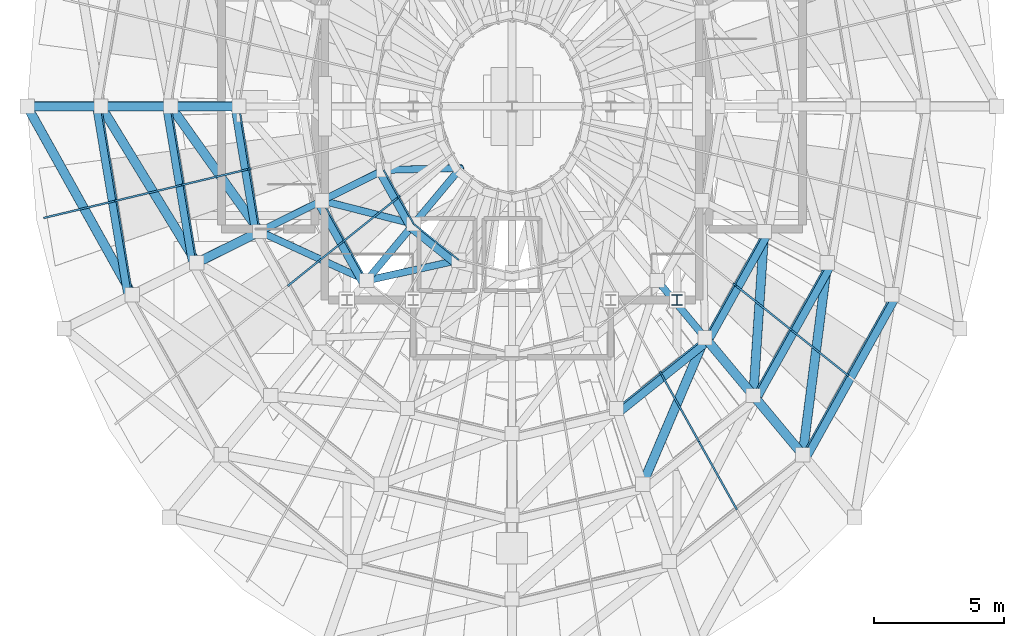
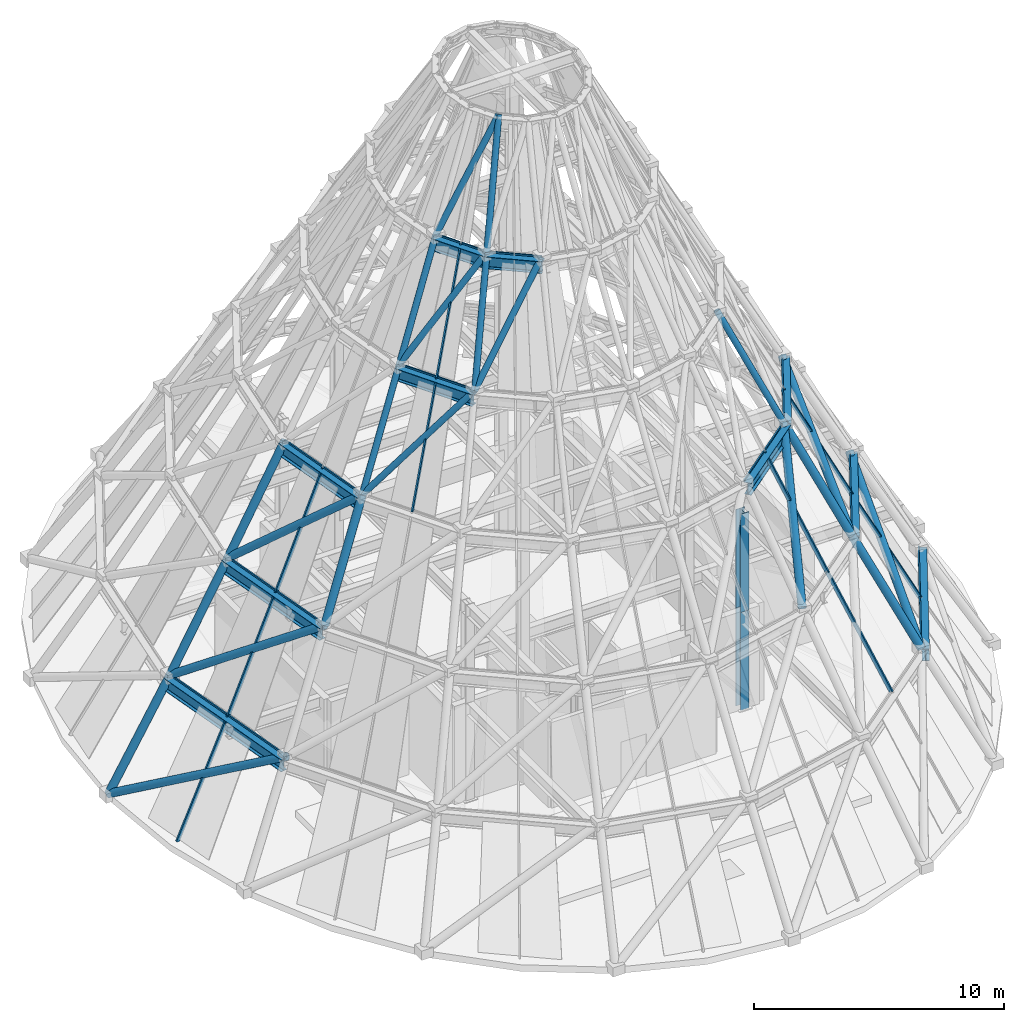
# One storey, part 3 of 16: 42 members, 10 beams, 5 elements without a shape of their own.
"""IFC4 building model written with IfcOpenShell, lengths in metres."""

from ifc_helpers import new_model, si_unit, direction, frame, origin, origin_2d, place, context, subcontext, project, spatial, hollow_rectangle, hollow_circle, i_section, extrude, material, layer, layer_set, material_profile, profile_set, type_object, element, aggregate, save


model = new_model("IFC4")

# Units and contexts
model_context = context("Model", 3, precision=1e-05, world=origin(), true_north=direction((0.0, 1.0)))
body_context = subcontext(model_context, "Body", "Model", "MODEL_VIEW")
ifc_project = project(units=[si_unit("LENGTHUNIT", "METRE"), si_unit("AREAUNIT", "SQUARE_METRE"), si_unit("VOLUMEUNIT", "CUBIC_METRE"), si_unit("PLANEANGLEUNIT", "RADIAN"), si_unit("MASSUNIT", "GRAM", prefix="KILO")], contexts=[model_context])

# Site, building, storey
site_placement = place(None, origin())
site = spatial("IfcSite", under=ifc_project, at=site_placement, CompositionType="ELEMENT")
building_placement = place(site_placement, origin())
building = spatial("IfcBuilding", under=site, at=building_placement, Name="Veldorina Hangang Commons", CompositionType="ELEMENT")
storey_placement = place(building_placement, frame((0.0, 0.0, 308.39990234375)))
storey = spatial("IfcBuildingStorey", under=building, at=storey_placement, Name="Crown", CompositionType="ELEMENT", Elevation=308.39990234375)

# Beams
ifc_material_1 = material(Name="Steel SM460-TMC", Category="steel")
ifc_material_profile_1 = material_profile(ifc_material_1, i_section(OverallWidth=0.300048828125, OverallDepth=0.587890625, WebThickness=0.011962890625, FlangeThickness=0.02001953125, FilletRadius=0.01806640625, at=origin_2d()), Name="H-588x300x12x20")
ifc_profile_set_1 = profile_set([ifc_material_profile_1], Name="Steel SM460-TMC")
beam_type = type_object("IfcBeamType", Name="BM-FG588", PredefinedType="BEAM", material=ifc_profile_set_1)
beam_1_placement = place(storey_placement, frame((16.010986328125, 24.0, 4.5), z_axis=(0.163733169397, -0.986504662553, 0.0), x_axis=(0.986504662553, 0.163733169397, 0.0)))
element("IfcBeam", 1, at=beam_1_placement, inside=storey, type_object=beam_type, Name="Crown tier 1 ring beam 08", PredefinedType="BEAM", context=body_context, shape_type="SweptSolid", body=[
    extrude(i_section(OverallWidth=0.300048828125, OverallDepth=0.587890625, WebThickness=0.011962890625, FlangeThickness=0.02001953125, FilletRadius=0.01806640625, at=origin_2d()), origin(), (0.0, 0.0, 1.0), 7.43310546875),
])
beam_2_placement = place(storey_placement, frame((43.305908203125, 10.451171875, 4.5), z_axis=(0.48700541563, 0.873398949591, 0.0), x_axis=(-0.873398949591, 0.48700541563, 0.0)))
element("IfcBeam", 2, at=beam_2_placement, inside=storey, type_object=beam_type, Name="Crown tier 1 ring beam 14", PredefinedType="BEAM", context=body_context, shape_type="SweptSolid", body=[
    extrude(i_section(OverallWidth=0.300048828125, OverallDepth=0.587890625, WebThickness=0.011962890625, FlangeThickness=0.02001953125, FilletRadius=0.01806640625, at=origin_2d()), origin(), (0.0, 0.0, 1.0), 7.1171875),
])
beam_3_placement = place(storey_placement, frame((18.703857421875, 24.0, 9.300048828125), z_axis=(0.163758445565, -0.986500467058, 0.0), x_axis=(0.986500467058, 0.163758445565, 0.0)))
element("IfcBeam", 3, at=beam_3_placement, inside=storey, type_object=beam_type, Name="Crown tier 2 ring beam 08", PredefinedType="BEAM", context=body_context, shape_type="SweptSolid", body=[
    extrude(i_section(OverallWidth=0.300048828125, OverallDepth=0.587890625, WebThickness=0.011962890625, FlangeThickness=0.02001953125, FilletRadius=0.01806640625, at=origin_2d()), origin(), (0.0, 0.0, 1.0), 6.18115234375),
])
beam_4_placement = place(storey_placement, frame((41.40185546875, 12.73291015625, 9.300048828125), z_axis=(0.486955766168, 0.873426632177, 0.0), x_axis=(-0.873426632177, 0.486955766168, 0.0)))
element("IfcBeam", 4, at=beam_4_placement, inside=storey, type_object=beam_type, Name="Crown tier 2 ring beam 14", PredefinedType="BEAM", context=body_context, shape_type="SweptSolid", body=[
    extrude(i_section(OverallWidth=0.300048828125, OverallDepth=0.587890625, WebThickness=0.011962890625, FlangeThickness=0.02001953125, FilletRadius=0.01806640625, at=origin_2d()), origin(), (0.0, 0.0, 1.0), 5.91845703125),
])
beam_5_placement = place(storey_placement, frame((21.3349609375, 24.0, 14.10009765625), z_axis=(0.163728199347, -0.986505487435, 0.0), x_axis=(0.986505487435, 0.163728199347, 0.0)))
element("IfcBeam", 5, at=beam_5_placement, inside=storey, type_object=beam_type, Name="Crown tier 3 ring beam 08", PredefinedType="BEAM", context=body_context, shape_type="SweptSolid", body=[
    extrude(i_section(OverallWidth=0.300048828125, OverallDepth=0.587890625, WebThickness=0.011962890625, FlangeThickness=0.02001953125, FilletRadius=0.01806640625, at=origin_2d()), origin(), (0.0, 0.0, 1.0), 4.9580078125),
])
beam_6_placement = place(storey_placement, frame((36.081298828125, 12.19189453125, 14.10009765625), z_axis=(0.780610819839, 0.625017398118, 0.0), x_axis=(-0.625017398118, 0.780610819839, 0.0)))
element("IfcBeam", 6, at=beam_6_placement, inside=storey, type_object=beam_type, Name="Crown tier 3 ring beam 13", PredefinedType="BEAM", context=body_context, shape_type="SweptSolid", body=[
    extrude(i_section(OverallWidth=0.300048828125, OverallDepth=0.587890625, WebThickness=0.011962890625, FlangeThickness=0.02001953125, FilletRadius=0.01806640625, at=origin_2d()), origin(), (0.0, 0.0, 1.0), 4.4326171875),
])
beam_7_placement = place(storey_placement, frame((39.54150390625, 14.96240234375, 14.10009765625), z_axis=(0.486956666645, 0.873426130139, 0.0), x_axis=(-0.873426130139, 0.486956666645, 0.0)))
element("IfcBeam", 7, at=beam_7_placement, inside=storey, type_object=beam_type, Name="Crown tier 3 ring beam 14", PredefinedType="BEAM", context=body_context, shape_type="SweptSolid", body=[
    extrude(i_section(OverallWidth=0.300048828125, OverallDepth=0.587890625, WebThickness=0.011962890625, FlangeThickness=0.02001953125, FilletRadius=0.01806640625, at=origin_2d()), origin(), (0.0, 0.0, 1.0), 4.747314453125),
])
beam_8_placement = place(storey_placement, frame((24.54345703125, 20.298583984375, 18.900146484375), z_axis=(0.486992551607, -0.873406122419, 0.0), x_axis=(0.873406122419, 0.486992551607, 0.0)))
element("IfcBeam", 8, at=beam_8_placement, inside=storey, type_object=beam_type, Name="Crown tier 4 ring beam 09", PredefinedType="BEAM", context=body_context, shape_type="SweptSolid", body=[
    extrude(i_section(OverallWidth=0.300048828125, OverallDepth=0.587890625, WebThickness=0.011962890625, FlangeThickness=0.02001953125, FilletRadius=0.01806640625, at=origin_2d()), origin(), (0.0, 0.0, 1.0), 3.592529296875),
])
beam_9_placement = place(storey_placement, frame((26.91552734375, 21.476318359375, 23.7001953125), z_axis=(0.487021535695, -0.873389960882, 0.0), x_axis=(0.873389960882, 0.487021535695, 0.0)))
element("IfcBeam", 9, at=beam_9_placement, inside=storey, type_object=beam_type, Name="Crown tier 5 ring beam 09", PredefinedType="BEAM", context=body_context, shape_type="SweptSolid", body=[
    extrude(i_section(OverallWidth=0.300048828125, OverallDepth=0.587890625, WebThickness=0.011962890625, FlangeThickness=0.02001953125, FilletRadius=0.01806640625, at=origin_2d()), origin(), (0.0, 0.0, 1.0), 2.44970703125),
])
beam_10_placement = place(storey_placement, frame((28.108642578125, 19.336669921875, 23.7001953125), z_axis=(0.780577146604, -0.625059451732, 0.0), x_axis=(0.625059451732, 0.780577146604, 0.0)))
element("IfcBeam", 10, at=beam_10_placement, inside=storey, type_object=beam_type, Name="Crown tier 5 ring beam 10", PredefinedType="BEAM", context=body_context, shape_type="SweptSolid", body=[
    extrude(i_section(OverallWidth=0.300048828125, OverallDepth=0.587890625, WebThickness=0.011962890625, FlangeThickness=0.02001953125, FilletRadius=0.01806640625, at=origin_2d()), origin(), (0.0, 0.0, 1.0), 2.287353515625),
])

# Members
ifc_material_profile_2 = material_profile(ifc_material_1, i_section(OverallWidth=0.39990234375, OverallDepth=0.39990234375, WebThickness=0.012939453125, FlangeThickness=0.02099609375, FilletRadius=0.01806640625, at=origin_2d()), Name="H-400x400x13x21")
ifc_profile_set_2 = profile_set([ifc_material_profile_2], Name="Steel SM460-TMC")
member_type_1 = type_object("IfcMemberType", Name="CRN-POST-H400", PredefinedType="BRACE", material=ifc_profile_set_2)
for number, where, z_axis, x_axis, name in (
    (11, (38.35009765625, 16.550048828125, 0.0), (0.0, 0.0, 1.0), (1.0, 0.0, 0.0), "Crown tier 1 outer core post SE"),
    (12, (38.35009765625, 16.550048828125, 4.800048828125), (0.0, 0.0, 1.0), (1.0, 0.0, 0.0), "Crown tier 2 outer core post SE"),
):
    element("IfcMember", number, at=place(storey_placement, frame(where, z_axis=z_axis, x_axis=x_axis)), inside=storey, type_object=member_type_1, Name=name, PredefinedType="BRACE", context=body_context, shape_type="SweptSolid", body=[
        extrude(i_section(OverallWidth=0.39990234375, OverallDepth=0.39990234375, WebThickness=0.012939453125, FlangeThickness=0.02099609375, FilletRadius=0.01806640625, at=origin_2d()), origin(), (0.0, 0.0, 1.0), 4.800048828125),
    ])
ifc_material_2 = material(Name="Steel SM355-TMC", Category="steel")
ifc_material_profile_3 = material_profile(ifc_material_2, hollow_circle(Radius=0.136474609375, WallThickness=0.011962890625, at=origin_2d()), Name="CHS-273.0x12")
ifc_profile_set_3 = profile_set([ifc_material_profile_3], Name="Steel SM355-TMC")
member_type_2 = type_object("IfcMemberType", Name="CRN-RIB273", PredefinedType="BRACE", material=ifc_profile_set_3)
member_1_placement = place(storey_placement, frame((22.29833984375, 19.18408203125, 14.400146484375), z_axis=(0.435852985266, 0.216393520058, 0.873616632003), x_axis=(-0.444691596768, 0.895683752093, 0.0)))
element("IfcMember", 13, at=member_1_placement, inside=storey, type_object=member_type_2, Name="Crown tier 4 CROWN FRAME meridian rib 09", PredefinedType="BRACE", context=body_context, shape_type="SweptSolid", body=[
    extrude(hollow_circle(Radius=0.136474609375, WallThickness=0.011962890625, at=origin_2d()), origin(), (0.0, 0.0, 1.0), 5.494384765625),
])
member_2_placement = place(storey_placement, frame((22.29833984375, 19.18408203125, 14.400146484375), z_axis=(0.623173752506, -0.286003875838, 0.727912259269), x_axis=(0.417115749595, 0.908853371804, 0.0)))
element("IfcMember", 14, at=member_2_placement, inside=storey, type_object=member_type_2, Name="Crown tier 4 CROWN FRAME diagrid brace 09", PredefinedType="BRACE", context=body_context, shape_type="SweptSolid", body=[
    extrude(hollow_circle(Radius=0.136474609375, WallThickness=0.011962890625, at=origin_2d()), origin(), (0.0, 0.0, 1.0), 6.59423828125),
])
member_3_placement = place(storey_placement, frame((39.42529296875, 15.1015625, 14.400146484375), z_axis=(-0.328028884835, 0.393084160477, 0.859000520079), x_axis=(-0.767780420949, -0.640713059963, 0.0)))
element("IfcMember", 15, at=member_3_placement, inside=storey, type_object=member_type_2, Name="Crown tier 4 CROWN FRAME meridian rib 14", PredefinedType="BRACE", context=body_context, shape_type="SweptSolid", body=[
    extrude(hollow_circle(Radius=0.136474609375, WallThickness=0.011962890625, at=origin_2d()), origin(), (0.0, 0.0, 1.0), 5.587890625),
])
member_4_placement = place(storey_placement, frame((24.693115234375, 20.373046875, 19.2001953125), z_axis=(0.432504003521, 0.214693027495, 0.875698116295), x_axis=(-0.444628824746, 0.895714914582, 0.0)))
element("IfcMember", 16, at=member_4_placement, inside=storey, type_object=member_type_2, Name="Crown tier 5 CROWN FRAME meridian rib 09", PredefinedType="BRACE", context=body_context, shape_type="SweptSolid", body=[
    extrude(hollow_circle(Radius=0.136474609375, WallThickness=0.011962890625, at=origin_2d()), origin(), (0.0, 0.0, 1.0), 5.481201171875),
])
member_5_placement = place(storey_placement, frame((24.693115234375, 20.373046875, 19.2001953125), z_axis=(0.585685231505, -0.149480615679, 0.796635647667), x_axis=(0.247296208435, 0.96893992863, 0.0)))
element("IfcMember", 17, at=member_5_placement, inside=storey, type_object=member_type_2, Name="Crown tier 5 CROWN FRAME diagrid brace 09", PredefinedType="BRACE", context=body_context, shape_type="SweptSolid", body=[
    extrude(hollow_circle(Radius=0.136474609375, WallThickness=0.011962890625, at=origin_2d()), origin(), (0.0, 0.0, 1.0), 6.025146484375),
])
member_6_placement = place(storey_placement, frame((26.40771484375, 17.298095703125, 19.2001953125), z_axis=(0.325541713887, 0.390159400333, 0.861277095278), x_axis=(-0.767825394616, 0.640659163193, 0.0)))
element("IfcMember", 18, at=member_6_placement, inside=storey, type_object=member_type_2, Name="Crown tier 5 CROWN FRAME meridian rib 10", PredefinedType="BRACE", context=body_context, shape_type="SweptSolid", body=[
    extrude(hollow_circle(Radius=0.136474609375, WallThickness=0.011962890625, at=origin_2d()), origin(), (0.0, 0.0, 1.0), 5.572998046875),
])
member_7_placement = place(storey_placement, frame((26.40771484375, 17.298095703125, 19.2001953125), z_axis=(0.589290288574, 0.130624459397, 0.797291795016), x_axis=(-0.216411106862, 0.97630232655, 0.0)))
element("IfcMember", 19, at=member_7_placement, inside=storey, type_object=member_type_2, Name="Crown tier 5 CROWN FRAME diagrid brace 10", PredefinedType="BRACE", context=body_context, shape_type="SweptSolid", body=[
    extrude(hollow_circle(Radius=0.136474609375, WallThickness=0.011962890625, at=origin_2d()), origin(), (0.0, 0.0, 1.0), 6.02001953125),
])
member_8_placement = place(storey_placement, frame((27.063720703125, 21.5498046875, 24.0), z_axis=(0.524607943054, 0.014114235325, 0.851226934751), x_axis=(-0.026894617268, 0.999638274358, 0.0)))
element("IfcMember", 20, at=member_8_placement, inside=storey, type_object=member_type_2, Name="Crown tier 6 CROWN FRAME diagrid brace 09", PredefinedType="BRACE", context=body_context, shape_type="SweptSolid", body=[
    extrude(hollow_circle(Radius=0.136474609375, WallThickness=0.011962890625, at=origin_2d()), origin(), (0.0, 0.0, 1.0), 5.638916015625),
])
member_9_placement = place(storey_placement, frame((28.221923828125, 19.472412109375, 24.0), z_axis=(0.323647112636, 0.387823442308, 0.863044334944), x_axis=(-0.767772338623, 0.640722745067, 0.0)))
element("IfcMember", 21, at=member_9_placement, inside=storey, type_object=member_type_2, Name="Crown tier 6 CROWN FRAME meridian rib 10", PredefinedType="BRACE", context=body_context, shape_type="SweptSolid", body=[
    extrude(hollow_circle(Radius=0.136474609375, WallThickness=0.011962890625, at=origin_2d()), origin(), (0.0, 0.0, 1.0), 5.561767578125),
])
ifc_material_profile_4 = material_profile(ifc_material_2, hollow_circle(Radius=0.177734375, WallThickness=0.01611328125, at=origin_2d()), Name="CHS-355.6x16")
ifc_profile_set_4 = profile_set([ifc_material_profile_4], Name="Steel SM355-TMC")
member_type_3 = type_object("IfcMemberType", Name="CRN-RIB355", PredefinedType="BRACE", material=ifc_profile_set_4)
member_10_placement = place(storey_placement, frame((13.35009765625, 24.0, 0.0), z_axis=(0.50899331274, 0.0, 0.860770473231), x_axis=(0.0, 1.0, 0.0)))
element("IfcMember", 22, at=member_10_placement, inside=storey, type_object=member_type_3, Name="Crown tier 1 CROWN FRAME meridian rib 08", PredefinedType="BRACE", context=body_context, shape_type="SweptSolid", body=[
    extrude(hollow_circle(Radius=0.177734375, WallThickness=0.01611328125, at=origin_2d()), origin(), (0.0, 0.0, 1.0), 5.576416015625),
])
member_11_placement = place(storey_placement, frame((13.35009765625, 24.0, 0.0), z_axis=(0.421502189024, -0.75616311405, 0.500552943851), x_axis=(0.8734641768, 0.486888418272, 0.0)))
element("IfcMember", 23, at=member_11_placement, inside=storey, type_object=member_type_3, Name="Crown tier 1 CROWN FRAME diagrid brace 08", PredefinedType="BRACE", context=body_context, shape_type="SweptSolid", body=[
    extrude(hollow_circle(Radius=0.177734375, WallThickness=0.01611328125, at=origin_2d()), origin(), (0.0, 0.0, 1.0), 9.589599609375),
])
member_12_placement = place(storey_placement, frame((16.1884765625, 24.0, 4.800048828125), z_axis=(0.487921854716, 0.0, 0.872887314429), x_axis=(0.0, 1.0, 0.0)))
element("IfcMember", 24, at=member_12_placement, inside=storey, type_object=member_type_3, Name="Crown tier 2 CROWN FRAME meridian rib 08", PredefinedType="BRACE", context=body_context, shape_type="SweptSolid", body=[
    extrude(hollow_circle(Radius=0.177734375, WallThickness=0.01611328125, at=origin_2d()), origin(), (0.0, 0.0, 1.0), 5.4990234375),
])
member_13_placement = place(storey_placement, frame((16.1884765625, 24.0, 4.800048828125), z_axis=(0.431433256184, -0.705401812024, 0.562382102356), x_axis=(0.853091089083, 0.521762008704, 0.0)))
element("IfcMember", 25, at=member_13_placement, inside=storey, type_object=member_type_3, Name="Crown tier 2 CROWN FRAME diagrid brace 08", PredefinedType="BRACE", context=body_context, shape_type="SweptSolid", body=[
    extrude(hollow_circle(Radius=0.177734375, WallThickness=0.01611328125, at=origin_2d()), origin(), (0.0, 0.0, 1.0), 8.53515625),
])
member_14_placement = place(storey_placement, frame((43.180419921875, 10.601318359375, 4.800048828125), z_axis=(-0.336386334792, 0.40313549555, 0.85107344336), x_axis=(-0.767808896081, -0.640678936051, 0.0)))
element("IfcMember", 26, at=member_14_placement, inside=storey, type_object=member_type_3, Name="Crown tier 2 CROWN FRAME meridian rib 14", PredefinedType="BRACE", context=body_context, shape_type="SweptSolid", body=[
    extrude(hollow_circle(Radius=0.177734375, WallThickness=0.01611328125, at=origin_2d()), origin(), (0.0, 0.0, 1.0), 5.639892578125),
])
member_15_placement = place(storey_placement, frame((43.180419921875, 10.601318359375, 4.800048828125), z_axis=(0.107165679164, 0.833388271832, 0.54219876944), x_axis=(-0.991833403051, 0.127540192067, 0.0)))
element("IfcMember", 27, at=member_15_placement, inside=storey, type_object=member_type_3, Name="Crown tier 2 CROWN FRAME diagrid brace 14", PredefinedType="BRACE", context=body_context, shape_type="SweptSolid", body=[
    extrude(hollow_circle(Radius=0.177734375, WallThickness=0.01611328125, at=origin_2d()), origin(), (0.0, 0.0, 1.0), 8.85302734375),
])
member_16_placement = place(storey_placement, frame((18.87158203125, 24.0, 9.60009765625), z_axis=(0.480151990827, 0.0, 0.877185308646), x_axis=(0.0, 1.0, 0.0)))
element("IfcMember", 28, at=member_16_placement, inside=storey, type_object=member_type_3, Name="Crown tier 3 CROWN FRAME meridian rib 08", PredefinedType="BRACE", context=body_context, shape_type="SweptSolid", body=[
    extrude(hollow_circle(Radius=0.177734375, WallThickness=0.01611328125, at=origin_2d()), origin(), (0.0, 0.0, 1.0), 5.47216796875),
])
member_17_placement = place(storey_placement, frame((18.87158203125, 24.0, 9.60009765625), z_axis=(0.450047676964, -0.632490772001, 0.630406624166), x_axis=(0.814787088927, 0.579760295051, 0.0)))
element("IfcMember", 29, at=member_17_placement, inside=storey, type_object=member_type_3, Name="Crown tier 3 CROWN FRAME diagrid brace 08", PredefinedType="BRACE", context=body_context, shape_type="SweptSolid", body=[
    extrude(hollow_circle(Radius=0.177734375, WallThickness=0.01611328125, at=origin_2d()), origin(), (0.0, 0.0, 1.0), 7.6142578125),
])
member_18_placement = place(storey_placement, frame((19.870849609375, 17.979248046875, 9.60009765625), z_axis=(0.440381719039, 0.21857425158, 0.870798046669), x_axis=(-0.444581110507, 0.89573859813, 0.0)))
element("IfcMember", 30, at=member_18_placement, inside=storey, type_object=member_type_3, Name="Crown tier 3 CROWN FRAME meridian rib 09", PredefinedType="BRACE", context=body_context, shape_type="SweptSolid", body=[
    extrude(hollow_circle(Radius=0.177734375, WallThickness=0.01611328125, at=origin_2d()), origin(), (0.0, 0.0, 1.0), 5.51220703125),
])
member_19_placement = place(storey_placement, frame((37.02392578125, 9.464599609375, 9.60009765625), z_axis=(0.308521470937, 0.7242224728, 0.616697909728), x_axis=(-0.919998172689, 0.391922648299, 0.0)))
element("IfcMember", 31, at=member_19_placement, inside=storey, type_object=member_type_3, Name="Crown tier 3 CROWN FRAME diagrid brace 13", PredefinedType="BRACE", context=body_context, shape_type="SweptSolid", body=[
    extrude(hollow_circle(Radius=0.177734375, WallThickness=0.01611328125, at=origin_2d()), origin(), (0.0, 0.0, 1.0), 7.783447265625),
])
member_20_placement = place(storey_placement, frame((41.283203125, 12.875, 9.60009765625), z_axis=(-0.331295255321, 0.397031895995, 0.855925888944), x_axis=(-0.767807072832, -0.64068112108, 0.0)))
element("IfcMember", 32, at=member_20_placement, inside=storey, type_object=member_type_3, Name="Crown tier 3 CROWN FRAME meridian rib 14", PredefinedType="BRACE", context=body_context, shape_type="SweptSolid", body=[
    extrude(hollow_circle(Radius=0.177734375, WallThickness=0.01611328125, at=origin_2d()), origin(), (0.0, 0.0, 1.0), 5.60791015625),
])
member_21_placement = place(storey_placement, frame((41.283203125, 12.875, 9.60009765625), z_axis=(0.052712225963, 0.794742907423, 0.604652902362), x_axis=(-0.997807652572, 0.066180725815, 0.0)))
element("IfcMember", 33, at=member_21_placement, inside=storey, type_object=member_type_3, Name="Crown tier 3 CROWN FRAME diagrid brace 14", PredefinedType="BRACE", context=body_context, shape_type="SweptSolid", body=[
    extrude(hollow_circle(Radius=0.177734375, WallThickness=0.01611328125, at=origin_2d()), origin(), (0.0, 0.0, 1.0), 7.9384765625),
])

# Curtain wall, member
ifc_material_3 = material(Name="Glass Low-Iron Laminated", Category="glass")
ifc_layer = layer(ifc_material_3, 0.179931640625)
ifc_layer_set = layer_set([ifc_layer], Name="Glass Low-Iron Laminated")
curtain_wall_type = type_object("IfcCurtainWallType", Name="CW-SYS-CRN", PredefinedType="NOTDEFINED", material=ifc_layer_set)
curtain_wall_1_placement = place(storey_placement, origin())
curtain_wall_1 = element("IfcCurtainWall", 34, at=curtain_wall_1_placement, inside=storey, type_object=curtain_wall_type, Name="Crown glass-point sloped pyramidal curtain wall tier 1", PredefinedType="NOTDEFINED")
ifc_material_4 = material(Name="Aluminium Anodized AA6063-T6", Category="aluminium")
ifc_material_profile_5 = material_profile(ifc_material_4, hollow_rectangle(XDim=0.070068359375, YDim=0.179931640625, WallThickness=0.00390625, at=origin_2d()), Name="ALU-RHS-180x70x4")
ifc_profile_set_5 = profile_set([ifc_material_profile_5], Name="Aluminium Anodized AA6063-T6")
member_type_4 = type_object("IfcMemberType", Name="CW-MUL-180", PredefinedType="MULLION", material=ifc_profile_set_5)
member_22_placement = place(storey_placement, frame((14.059814453125, 19.723388671875, 0.0), z_axis=(0.491044075663, 0.117053246219, 0.86323476141), x_axis=(-0.231879208722, 0.972744587527, 0.0)))
member_22 = element("IfcMember", 35, at=member_22_placement, type_object=member_type_4, Name="CW-CRN-T1 sloped mid-facet mullion 9", PredefinedType="MULLION", context=body_context, shape_type="SweptSolid", body=[
    extrude(hollow_rectangle(XDim=0.070068359375, YDim=0.179931640625, WallThickness=0.00390625, at=origin_2d()), origin(), (0.0, 0.0, 1.0), 5.560546875),
])

# Curtain wall, members
curtain_wall_2_placement = place(storey_placement, origin())
curtain_wall_2 = element("IfcCurtainWall", 36, at=curtain_wall_2_placement, inside=storey, type_object=curtain_wall_type, Name="Crown glass-point sloped pyramidal curtain wall tier 2", PredefinedType="NOTDEFINED")
member_23_placement = place(storey_placement, frame((16.790283203125, 20.374267578125, 4.800048828125), z_axis=(0.470565786828, 0.112177256911, 0.875205177829), x_axis=(-0.231890061584, 0.972742000398, 0.0)))
member_23 = element("IfcMember", 37, at=member_23_placement, type_object=member_type_4, Name="CW-CRN-T2 sloped mid-facet mullion 9", PredefinedType="MULLION", context=body_context, shape_type="SweptSolid", body=[
    extrude(hollow_rectangle(XDim=0.070068359375, YDim=0.179931640625, WallThickness=0.00390625, at=origin_2d()), origin(), (0.0, 0.0, 1.0), 5.484375),
])
member_24_placement = place(storey_placement, frame((40.61572265625, 8.547607421875, 4.800048828125), z_axis=(-0.25825402247, 0.463166881842, 0.847809707094), x_axis=(-0.873404448516, -0.486995553688, 0.0)))
member_24 = element("IfcMember", 38, at=member_24_placement, type_object=member_type_4, Name="CW-CRN-T2 sloped mid-facet mullion 14", PredefinedType="MULLION", context=body_context, shape_type="SweptSolid", body=[
    extrude(hollow_rectangle(XDim=0.070068359375, YDim=0.179931640625, WallThickness=0.00390625, at=origin_2d()), origin(), (0.0, 0.0, 1.0), 5.66162109375),
])
member_25_placement = place(storey_placement, frame((44.894287109375, 13.675048828125, 4.800048828125), z_axis=(-0.39362812705, 0.315183601842, 0.863548605884), x_axis=(-0.625034893689, -0.78059681121, 0.0)))
member_25 = element("IfcMember", 39, at=member_25_placement, type_object=member_type_4, Name="CW-CRN-T2 sloped mid-facet mullion 15", PredefinedType="MULLION", context=body_context, shape_type="SweptSolid", body=[
    extrude(hollow_rectangle(XDim=0.070068359375, YDim=0.179931640625, WallThickness=0.00390625, at=origin_2d()), origin(), (0.0, 0.0, 1.0), 5.55859375),
])

curtain_wall_3_placement = place(storey_placement, origin())
curtain_wall_3 = element("IfcCurtainWall", 40, at=curtain_wall_3_placement, inside=storey, type_object=curtain_wall_type, Name="Crown glass-point sloped pyramidal curtain wall tier 3", PredefinedType="NOTDEFINED")
member_26_placement = place(storey_placement, frame((19.37109375, 20.989501953125, 9.60009765625), z_axis=(0.463078708905, 0.110391022272, 0.879415676208), x_axis=(-0.231887269366, 0.972742666025, 0.0)))
member_26 = element("IfcMember", 41, at=member_26_placement, type_object=member_type_4, Name="CW-CRN-T3 sloped mid-facet mullion 9", PredefinedType="MULLION", context=body_context, shape_type="SweptSolid", body=[
    extrude(hollow_rectangle(XDim=0.070068359375, YDim=0.179931640625, WallThickness=0.00390625, at=origin_2d()), origin(), (0.0, 0.0, 1.0), 5.458251953125),
])
member_27_placement = place(storey_placement, frame((39.153564453125, 11.169921875, 9.60009765625), z_axis=(-0.254344545809, 0.456163299502, 0.852774235191), x_axis=(-0.87340802986, -0.486989130655, 0.0)))
member_27 = element("IfcMember", 42, at=member_27_placement, type_object=member_type_4, Name="CW-CRN-T3 sloped mid-facet mullion 14", PredefinedType="MULLION", context=body_context, shape_type="SweptSolid", body=[
    extrude(hollow_rectangle(XDim=0.070068359375, YDim=0.179931640625, WallThickness=0.00390625, at=origin_2d()), origin(), (0.0, 0.0, 1.0), 5.628662109375),
])
member_28_placement = place(storey_placement, frame((42.706298828125, 15.427001953125, 9.60009765625), z_axis=(-0.387520273629, 0.310298790368, 0.86806837186), x_axis=(-0.625042053082, -0.780591078529, 0.0)))
member_28 = element("IfcMember", 43, at=member_28_placement, type_object=member_type_4, Name="CW-CRN-T3 sloped mid-facet mullion 15", PredefinedType="MULLION", context=body_context, shape_type="SweptSolid", body=[
    extrude(hollow_rectangle(XDim=0.070068359375, YDim=0.179931640625, WallThickness=0.00390625, at=origin_2d()), origin(), (0.0, 0.0, 1.0), 5.529541015625),
])

# Curtain wall, member
curtain_wall_4_placement = place(storey_placement, origin())
curtain_wall_4 = element("IfcCurtainWall", 44, at=curtain_wall_4_placement, inside=storey, type_object=curtain_wall_type, Name="Crown glass-point sloped pyramidal curtain wall tier 4", PredefinedType="NOTDEFINED")
member_29_placement = place(storey_placement, frame((23.4365234375, 17.142822265625, 14.400146484375), z_axis=(0.383534533147, 0.307164293468, 0.870948539641), x_axis=(-0.625112734885, 0.780534476295, 0.0)))
member_29 = element("IfcMember", 45, at=member_29_placement, type_object=member_type_4, Name="CW-CRN-T4 sloped mid-facet mullion 10", PredefinedType="MULLION", context=body_context, shape_type="SweptSolid", body=[
    extrude(hollow_rectangle(XDim=0.070068359375, YDim=0.179931640625, WallThickness=0.00390625, at=origin_2d()), origin(), (0.0, 0.0, 1.0), 5.51123046875),
])

curtain_wall_5_placement = place(storey_placement, origin())
curtain_wall_5 = element("IfcCurtainWall", 46, at=curtain_wall_5_placement, inside=storey, type_object=curtain_wall_type, Name="Crown glass-point sloped pyramidal curtain wall tier 5", PredefinedType="NOTDEFINED")
member_30_placement = place(storey_placement, frame((25.55029296875, 18.835693359375, 19.2001953125), z_axis=(0.38062719347, 0.304732680153, 0.873075559867), x_axis=(-0.624983791766, 0.780637726497, 0.0)))
member_30 = element("IfcMember", 47, at=member_30_placement, type_object=member_type_4, Name="CW-CRN-T5 sloped mid-facet mullion 10", PredefinedType="MULLION", context=body_context, shape_type="SweptSolid", body=[
    extrude(hollow_rectangle(XDim=0.070068359375, YDim=0.179931640625, WallThickness=0.00390625, at=origin_2d()), origin(), (0.0, 0.0, 1.0), 5.49755859375),
])

# Member
ifc_material_profile_6 = material_profile(ifc_material_4, hollow_rectangle(XDim=0.06005859375, YDim=0.139892578125, WallThickness=0.00341796875, at=origin_2d()), Name="ALU-RHS-140x60x3.5")
ifc_profile_set_6 = profile_set([ifc_material_profile_6], Name="Aluminium Anodized AA6063-T6")
member_type_5 = type_object("IfcMemberType", Name="CW-TRN-140", PredefinedType="USERDEFINED", material=ifc_profile_set_6)
member_31_placement = place(storey_placement, frame((16.1884765625, 24.0, 4.800048828125), z_axis=(0.163747230085, -0.986502328755, 0.0), x_axis=(0.986502328755, 0.163747230085, 0.0)))
member_31 = element("IfcMember", 48, at=member_31_placement, type_object=member_type_5, Name="CW-CRN-T1 horizontal ring transom 9", ObjectType="TRANSOM", PredefinedType="USERDEFINED", context=body_context, shape_type="SweptSolid", body=[
    extrude(hollow_rectangle(XDim=0.06005859375, YDim=0.139892578125, WallThickness=0.00341796875, at=origin_2d()), origin(), (0.0, 0.0, 1.0), 7.350341796875),
])

member_32_placement = place(storey_placement, frame((43.180419921875, 10.601318359375, 4.800048828125), z_axis=(0.4869706204, 0.873418350429, 0.0), x_axis=(-0.873418350429, 0.4869706204, 0.0)))
member_32 = element("IfcMember", 49, at=member_32_placement, type_object=member_type_5, Name="CW-CRN-T1 horizontal ring transom 15", ObjectType="TRANSOM", PredefinedType="USERDEFINED", context=body_context, shape_type="SweptSolid", body=[
    extrude(hollow_rectangle(XDim=0.06005859375, YDim=0.139892578125, WallThickness=0.00341796875, at=origin_2d()), origin(), (0.0, 0.0, 1.0), 7.038330078125),
])

aggregate(curtain_wall_1, [member_22, member_31, member_32])

member_33_placement = place(storey_placement, frame((18.87158203125, 24.0, 9.60009765625), z_axis=(0.16373079742, -0.986505056235, 0.0), x_axis=(0.986505056235, 0.16373079742, 0.0)))
member_33 = element("IfcMember", 50, at=member_33_placement, type_object=member_type_5, Name="CW-CRN-T2 horizontal ring transom 9", ObjectType="TRANSOM", PredefinedType="USERDEFINED", context=body_context, shape_type="SweptSolid", body=[
    extrude(hollow_rectangle(XDim=0.06005859375, YDim=0.139892578125, WallThickness=0.00341796875, at=origin_2d()), origin(), (0.0, 0.0, 1.0), 6.10302734375),
])

member_34_placement = place(storey_placement, frame((41.283203125, 12.875, 9.60009765625), z_axis=(0.486983133901, 0.873411373464, 0.0), x_axis=(-0.873411373464, 0.486983133901, 0.0)))
member_34 = element("IfcMember", 51, at=member_34_placement, type_object=member_type_5, Name="CW-CRN-T2 horizontal ring transom 15", ObjectType="TRANSOM", PredefinedType="USERDEFINED", context=body_context, shape_type="SweptSolid", body=[
    extrude(hollow_rectangle(XDim=0.06005859375, YDim=0.139892578125, WallThickness=0.00341796875, at=origin_2d()), origin(), (0.0, 0.0, 1.0), 5.843994140625),
])

aggregate(curtain_wall_2, [member_23, member_33, member_24, member_25, member_34])

member_35_placement = place(storey_placement, frame((21.4990234375, 24.0, 14.400146484375), z_axis=(0.163733947204, -0.986504533458, 0.0), x_axis=(0.986504533458, 0.163733947204, 0.0)))
member_35 = element("IfcMember", 52, at=member_35_placement, type_object=member_type_5, Name="CW-CRN-T3 horizontal ring transom 9", ObjectType="TRANSOM", PredefinedType="USERDEFINED", context=body_context, shape_type="SweptSolid", body=[
    extrude(hollow_rectangle(XDim=0.06005859375, YDim=0.139892578125, WallThickness=0.00341796875, at=origin_2d()), origin(), (0.0, 0.0, 1.0), 4.8818359375),
])

member_36_placement = place(storey_placement, frame((36.0185546875, 12.373779296875, 14.400146484375), z_axis=(0.780601312418, 0.625029272155, 0.0), x_axis=(-0.625029272155, 0.780601312418, 0.0)))
member_36 = element("IfcMember", 53, at=member_36_placement, type_object=member_type_5, Name="CW-CRN-T3 horizontal ring transom 14", ObjectType="TRANSOM", PredefinedType="USERDEFINED", context=body_context, shape_type="SweptSolid", body=[
    extrude(hollow_rectangle(XDim=0.06005859375, YDim=0.139892578125, WallThickness=0.00341796875, at=origin_2d()), origin(), (0.0, 0.0, 1.0), 4.3642578125),
])

member_37_placement = place(storey_placement, frame((39.42529296875, 15.1015625, 14.400146484375), z_axis=(0.486999359603, 0.873402326392, 0.0), x_axis=(-0.873402326392, 0.486999359603, 0.0)))
member_37 = element("IfcMember", 54, at=member_37_placement, type_object=member_type_5, Name="CW-CRN-T3 horizontal ring transom 15", ObjectType="TRANSOM", PredefinedType="USERDEFINED", context=body_context, shape_type="SweptSolid", body=[
    extrude(hollow_rectangle(XDim=0.06005859375, YDim=0.139892578125, WallThickness=0.00341796875, at=origin_2d()), origin(), (0.0, 0.0, 1.0), 4.67431640625),
])

aggregate(curtain_wall_3, [member_26, member_35, member_27, member_36, member_28, member_37])

member_38_placement = place(storey_placement, frame((24.693115234375, 20.373046875, 19.2001953125), z_axis=(0.487008299347, -0.873397341631, 0.0), x_axis=(0.873397341631, 0.487008299347, 0.0)))
member_38 = element("IfcMember", 55, at=member_38_placement, type_object=member_type_5, Name="CW-CRN-T4 horizontal ring transom 10", ObjectType="TRANSOM", PredefinedType="USERDEFINED", context=body_context, shape_type="SweptSolid", body=[
    extrude(hollow_rectangle(XDim=0.06005859375, YDim=0.139892578125, WallThickness=0.00341796875, at=origin_2d()), origin(), (0.0, 0.0, 1.0), 3.520751953125),
])

aggregate(curtain_wall_4, [member_29, member_38])

member_39_placement = place(storey_placement, frame((27.063720703125, 21.5498046875, 24.0), z_axis=(0.486958395627, -0.873425166187, 0.0), x_axis=(0.873425166187, 0.486958395627, 0.0)))
member_39 = element("IfcMember", 56, at=member_39_placement, type_object=member_type_5, Name="CW-CRN-T5 horizontal ring transom 10", ObjectType="TRANSOM", PredefinedType="USERDEFINED", context=body_context, shape_type="SweptSolid", body=[
    extrude(hollow_rectangle(XDim=0.06005859375, YDim=0.139892578125, WallThickness=0.00341796875, at=origin_2d()), origin(), (0.0, 0.0, 1.0), 2.37841796875),
])

member_40_placement = place(storey_placement, frame((28.221923828125, 19.472412109375, 24.0), z_axis=(0.780600582028, -0.625030184342, 0.0), x_axis=(0.625030184342, 0.780600582028, 0.0)))
member_40 = element("IfcMember", 57, at=member_40_placement, type_object=member_type_5, Name="CW-CRN-T5 horizontal ring transom 11", ObjectType="TRANSOM", PredefinedType="USERDEFINED", context=body_context, shape_type="SweptSolid", body=[
    extrude(hollow_rectangle(XDim=0.06005859375, YDim=0.139892578125, WallThickness=0.00341796875, at=origin_2d()), origin(), (0.0, 0.0, 1.0), 2.220703125),
])

aggregate(curtain_wall_5, [member_30, member_39, member_40])

save(model, "model.ifc")
